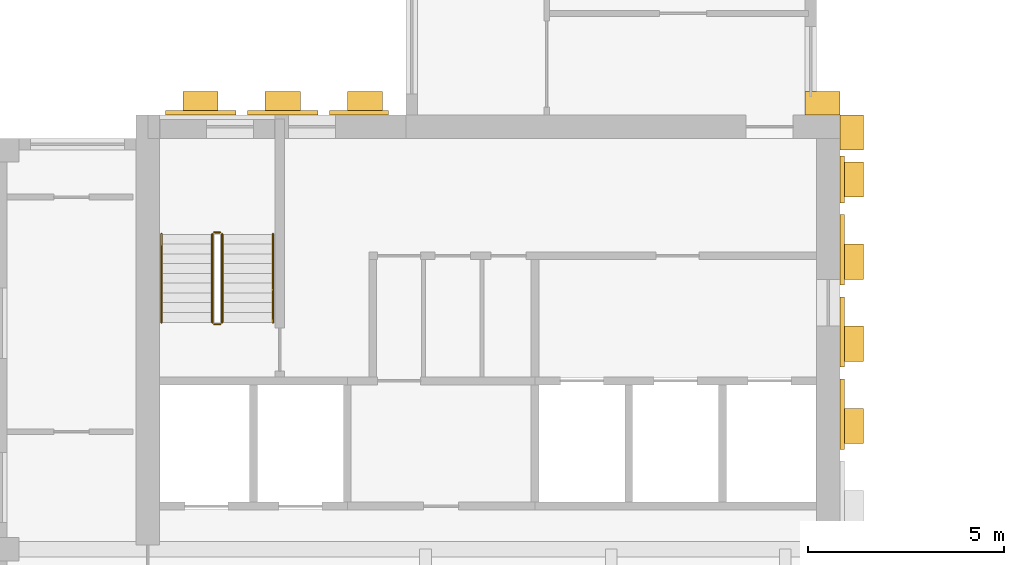
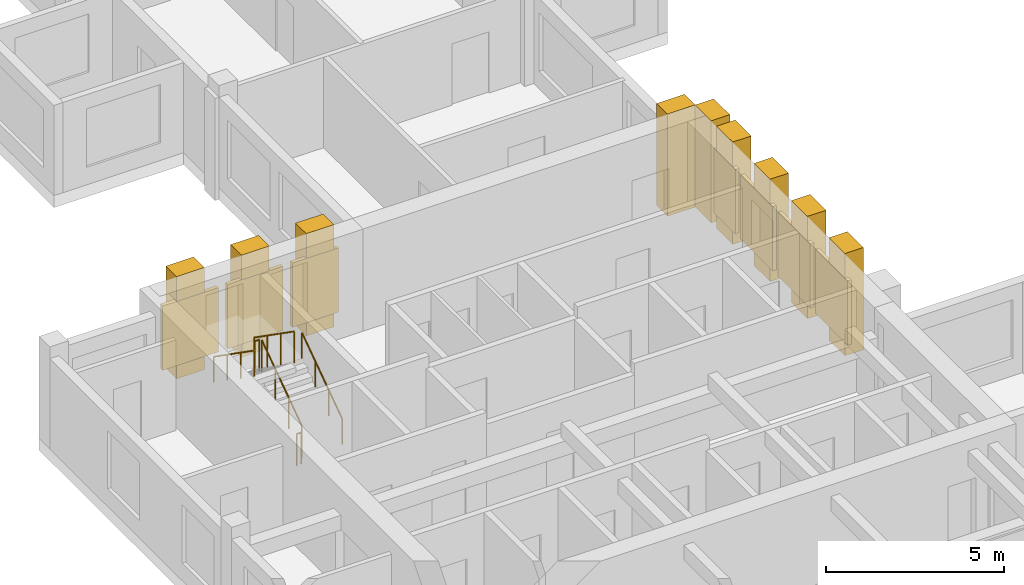
# One storey, part 7 of 9: 16 coverings, 6 railings.
"""IFC4 building model written with IfcOpenShell, lengths in metres."""

from ifc_helpers import new_model, si_unit, direction, frame, origin, origin_2d, place, context, subcontext, project, spatial, rectangle, circle, extrude, source, transform, mapped, material, type_object, element, save


model = new_model("IFC4")

# Units and contexts
model_context = context("Model", 3, precision=1e-05, world=origin(), true_north=direction((0.0, 1.0)))
body_context = subcontext(model_context, "Body", "Model", "MODEL_VIEW")
ifc_project = project(units=[si_unit("LENGTHUNIT", "METRE"), si_unit("AREAUNIT", "SQUARE_METRE"), si_unit("VOLUMEUNIT", "CUBIC_METRE"), si_unit("PLANEANGLEUNIT", "RADIAN"), si_unit("MASSUNIT", "GRAM", prefix="KILO")], contexts=[model_context])

# Site, building, storey
site_placement = place(None, origin())
site = spatial("IfcSite", under=ifc_project, at=site_placement, CompositionType="ELEMENT")
building_placement = place(site_placement, origin())
building = spatial("IfcBuilding", under=site, at=building_placement, Name="Aurelian Terraces", CompositionType="ELEMENT")
storey_placement = place(building_placement, frame((0.0, 0.0, 330.0)))
storey = spatial("IfcBuildingStorey", under=building, at=storey_placement, Name="L77", CompositionType="ELEMENT", Elevation=330.0)

# Coverings
ifc_material_1 = material(Name="Terracotta rainscreen cladding louvre blades", Category="masonry")
covering_type_1 = type_object("IfcCoveringType", Name="LOUVRE-TC", PredefinedType="CLADDING", material=ifc_material_1)
shared_shape_1 = source(origin(), body_context, "Body", "SweptSolid", [
    extrude(rectangle(XDim=0.12, YDim=1.8, at=origin_2d()), origin(), (0.0, 0.0, 1.0), 2.2),
])
for number, where, z_axis, x_axis, name in (
    (1, (21.66, 13.95, 0.45), (0.0, 0.0, 1.0), (1.0, 0.0, 0.0), "LOUVRE L77 core face E.2"),
    (2, (21.66, 16.05, 0.45), (0.0, 0.0, 1.0), (1.0, 0.0, 0.0), "LOUVRE L77 core face E.3"),
    (3, (21.66, 18.15, 0.45), (0.0, 0.0, 1.0), (1.0, 0.0, 0.0), "LOUVRE L77 core face E.4"),
):
    element("IfcCovering", number, at=place(storey_placement, frame(where, z_axis=z_axis, x_axis=x_axis)), inside=storey, type_object=covering_type_1, Name=name, PredefinedType="CLADDING", context=body_context, shape_type="MappedRepresentation", body=[
        mapped(shared_shape_1, transform((0.0, 0.0, 0.0), scale=1.0)),
    ])
shared_shape_2 = source(origin(), body_context, "Body", "SweptSolid", [
    extrude(rectangle(XDim=1.8, YDim=0.12, at=origin_2d()), origin(), (0.0, 0.0, 1.0), 2.2),
])
for number, where, z_axis, x_axis, name in (
    (4, (5.25, 21.66, 0.45), (0.0, 0.0, 1.0), (1.0, 0.0, 0.0), "LOUVRE L77 core face N.1"),
    (5, (7.35, 21.66, 0.45), (0.0, 0.0, 1.0), (1.0, 0.0, 0.0), "LOUVRE L77 core face N.2"),
):
    element("IfcCovering", number, at=place(storey_placement, frame(where, z_axis=z_axis, x_axis=x_axis)), inside=storey, type_object=covering_type_1, Name=name, PredefinedType="CLADDING", context=body_context, shape_type="MappedRepresentation", body=[
        mapped(shared_shape_2, transform((0.0, 0.0, 0.0), scale=1.0)),
    ])
shared_shape_3 = source(origin(), body_context, "Body", "SweptSolid", [
    extrude(rectangle(XDim=0.12, YDim=1.2, at=origin_2d()), origin(), (0.0, 0.0, 1.0), 2.2),
])
covering_1_placement = place(storey_placement, frame((21.66, 19.95, 0.45), z_axis=(0.0, 0.0, 1.0), x_axis=(1.0, 0.0, 0.0)))
element("IfcCovering", 6, at=covering_1_placement, inside=storey, type_object=covering_type_1, Name="LOUVRE L77 core face E.5", PredefinedType="CLADDING", context=body_context, shape_type="MappedRepresentation", body=[
    mapped(shared_shape_3, transform((0.0, 0.0, 0.0), scale=1.0)),
])
shared_shape_4 = source(origin(), body_context, "Body", "SweptSolid", [
    extrude(rectangle(XDim=1.5, YDim=0.12, at=origin_2d()), origin(), (0.0, 0.0, 1.0), 2.2),
])
covering_2_placement = place(storey_placement, frame((9.3, 21.66, 0.45), z_axis=(0.0, 0.0, 1.0), x_axis=(1.0, 0.0, 0.0)))
element("IfcCovering", 7, at=covering_2_placement, inside=storey, type_object=covering_type_1, Name="LOUVRE L77 core face N.3", PredefinedType="CLADDING", context=body_context, shape_type="MappedRepresentation", body=[
    mapped(shared_shape_4, transform((0.0, 0.0, 0.0), scale=1.0)),
])

# Railings
ifc_material_2 = material(Name="Stainless steel", Category="steel")
railing_type_1 = type_object("IfcRailingType", Name="Stair guard 1100", PredefinedType="GUARDRAIL", material=ifc_material_2)
shared_shape_5 = source(origin(), body_context, "Body", "SweptSolid", [
    extrude(circle(Radius=0.024, at=origin_2d()), frame((0.0, 0.0, 1.076), z_axis=(-1.0, 0.0, 0.0), x_axis=(0.0, -1.0, 0.0)), (0.0, 0.0, 1.0), 0.15),
    extrude(circle(Radius=0.021, at=origin_2d()), origin(), (0.0, 0.0, 1.0), 1.052),
    extrude(circle(Radius=0.021, at=origin_2d()), frame((-0.15, 0.0, 0.0)), (0.0, 0.0, 1.0), 1.052),
])
for number, where, name in (
    (8, (5.75, 18.6, 1.75), "L77 S1 stair guard 2"),
    (9, (5.75, 16.25, 0.0), "L77 S1 stair guard 4"),
):
    element("IfcRailing", number, at=place(storey_placement, frame(where)), inside=storey, type_object=railing_type_1, Name=name, PredefinedType="GUARDRAIL", context=body_context, shape_type="MappedRepresentation", body=[
        mapped(shared_shape_5, transform((0.0, 0.0, 0.0), scale=1.0)),
    ])
shared_shape_6 = source(origin(), body_context, "Body", "SweptSolid", [
    extrude(circle(Radius=0.024, at=origin_2d()), frame((0.0, 0.0, 1.076), z_axis=(0.0, 0.819231920519, 0.573462344363), x_axis=(-1.0, 0.0, 0.0)), (0.0, 0.0, 1.0), 2.7465),
    extrude(circle(Radius=0.021, at=origin_2d()), origin(), (0.0, 0.0, 1.0), 1.052),
    extrude(circle(Radius=0.021, at=origin_2d()), frame((0.0, 0.75, 0.525)), (0.0, 0.0, 1.0), 1.052),
    extrude(circle(Radius=0.021, at=origin_2d()), frame((0.0, 1.5, 1.05)), (0.0, 0.0, 1.0), 1.052),
    extrude(circle(Radius=0.021, at=origin_2d()), frame((0.0, 2.25, 1.575)), (0.0, 0.0, 1.0), 1.052),
])
railing_1_placement = place(storey_placement, frame((5.8, 16.3, 0.175)))
element("IfcRailing", 10, at=railing_1_placement, inside=storey, type_object=railing_type_1, Name="L77 S1 stair guard 1", PredefinedType="GUARDRAIL", context=body_context, shape_type="MappedRepresentation", body=[
    mapped(shared_shape_6, transform((0.0, 0.0, 0.0), scale=1.0)),
])
shared_shape_7 = source(origin(), body_context, "Body", "SweptSolid", [
    extrude(circle(Radius=0.024, at=origin_2d()), frame((0.0, 0.0, 1.076), z_axis=(0.0, -0.819231920519, 0.573462344363), x_axis=(1.0, 0.0, 0.0)), (0.0, 0.0, 1.0), 2.7465),
    extrude(circle(Radius=0.021, at=origin_2d()), origin(), (0.0, 0.0, 1.0), 1.052),
    extrude(circle(Radius=0.021, at=origin_2d()), frame((0.0, -0.75, 0.525)), (0.0, 0.0, 1.0), 1.052),
    extrude(circle(Radius=0.021, at=origin_2d()), frame((0.0, -1.5, 1.05)), (0.0, 0.0, 1.0), 1.052),
    extrude(circle(Radius=0.021, at=origin_2d()), frame((0.0, -2.25, 1.575)), (0.0, 0.0, 1.0), 1.052),
])
railing_2_placement = place(storey_placement, frame((5.55, 18.55, 1.925)))
element("IfcRailing", 11, at=railing_2_placement, inside=storey, type_object=railing_type_1, Name="L77 S1 stair guard 3", PredefinedType="GUARDRAIL", context=body_context, shape_type="MappedRepresentation", body=[
    mapped(shared_shape_7, transform((0.0, 0.0, 0.0), scale=1.0)),
])
railing_type_2 = type_object("IfcRailingType", Name="Stair handrail", PredefinedType="HANDRAIL", material=ifc_material_2)
shared_shape_8 = source(origin(), body_context, "Body", "SweptSolid", [
    extrude(circle(Radius=0.024, at=origin_2d()), frame((0.0, 0.0, 0.876), z_axis=(0.0, 0.819231920519, 0.573462344363), x_axis=(-1.0, 0.0, 0.0)), (0.0, 0.0, 1.0), 2.7465),
    extrude(circle(Radius=0.021, at=origin_2d()), origin(), (0.0, 0.0, 1.0), 0.852),
    extrude(circle(Radius=0.021, at=origin_2d()), frame((0.0, 0.75, 0.525)), (0.0, 0.0, 1.0), 0.852),
    extrude(circle(Radius=0.021, at=origin_2d()), frame((0.0, 1.5, 1.05)), (0.0, 0.0, 1.0), 0.852),
    extrude(circle(Radius=0.021, at=origin_2d()), frame((0.0, 2.25, 1.575)), (0.0, 0.0, 1.0), 0.852),
])
railing_3_placement = place(storey_placement, frame((7.1, 16.3, 0.175)))
element("IfcRailing", 12, at=railing_3_placement, inside=storey, type_object=railing_type_2, Name="L77 S1 stair handrail 1", PredefinedType="HANDRAIL", context=body_context, shape_type="MappedRepresentation", body=[
    mapped(shared_shape_8, transform((0.0, 0.0, 0.0), scale=1.0)),
])
shared_shape_9 = source(origin(), body_context, "Body", "SweptSolid", [
    extrude(circle(Radius=0.024, at=origin_2d()), frame((0.0, 0.0, 0.876), z_axis=(0.0, -0.819231920519, 0.573462344363), x_axis=(1.0, 0.0, 0.0)), (0.0, 0.0, 1.0), 2.7465),
    extrude(circle(Radius=0.021, at=origin_2d()), origin(), (0.0, 0.0, 1.0), 0.852),
    extrude(circle(Radius=0.021, at=origin_2d()), frame((0.0, -0.75, 0.525)), (0.0, 0.0, 1.0), 0.852),
    extrude(circle(Radius=0.021, at=origin_2d()), frame((0.0, -1.5, 1.05)), (0.0, 0.0, 1.0), 0.852),
    extrude(circle(Radius=0.021, at=origin_2d()), frame((0.0, -2.25, 1.575)), (0.0, 0.0, 1.0), 0.852),
])
railing_4_placement = place(storey_placement, frame((4.25, 18.55, 1.925)))
element("IfcRailing", 13, at=railing_4_placement, inside=storey, type_object=railing_type_2, Name="L77 S1 stair handrail 2", PredefinedType="HANDRAIL", context=body_context, shape_type="MappedRepresentation", body=[
    mapped(shared_shape_9, transform((0.0, 0.0, 0.0), scale=1.0)),
])

# Coverings
ifc_material_3 = material(Name="Terracotta rainscreen cladding relief", Category="masonry")
covering_type_2 = type_object("IfcCoveringType", Name="Core spine pier 900x600", PredefinedType="CLADDING", material=ifc_material_3)
shared_shape_10 = source(origin(), body_context, "Body", "SweptSolid", [
    extrude(rectangle(XDim=0.6, YDim=0.9, at=origin_2d()), origin(), (0.0, 0.0, 1.0), 3.5),
])
for number, where, z_axis, x_axis, name in (
    (14, (21.9, 13.65, 0.0), (0.0, 0.0, 1.0), (1.0, 0.0, 0.0), "Spine pier L77 E2"),
    (15, (21.9, 15.75, 0.0), (0.0, 0.0, 1.0), (1.0, 0.0, 0.0), "Spine pier L77 E3"),
    (16, (21.9, 17.85, 0.0), (0.0, 0.0, 1.0), (1.0, 0.0, 0.0), "Spine pier L77 E4"),
    (17, (21.9, 19.95, 0.0), (0.0, 0.0, 1.0), (1.0, 0.0, 0.0), "Spine pier L77 E5"),
    (18, (21.9, 21.15, 0.0), (0.0, 0.0, 1.0), (1.0, 0.0, 0.0), "Spine pier L77 corner east"),
):
    element("IfcCovering", number, at=place(storey_placement, frame(where, z_axis=z_axis, x_axis=x_axis)), inside=storey, type_object=covering_type_2, Name=name, PredefinedType="CLADDING", context=body_context, shape_type="MappedRepresentation", body=[
        mapped(shared_shape_10, transform((0.0, 0.0, 0.0), scale=1.0)),
    ])
shared_shape_11 = source(origin(), body_context, "Body", "SweptSolid", [
    extrude(rectangle(XDim=0.9, YDim=0.6, at=origin_2d()), origin(), (0.0, 0.0, 1.0), 3.5),
])
for number, where, z_axis, x_axis, name in (
    (19, (5.25, 21.9, 0.0), (0.0, 0.0, 1.0), (1.0, 0.0, 0.0), "Spine pier L77 N6"),
    (20, (7.35, 21.9, 0.0), (0.0, 0.0, 1.0), (1.0, 0.0, 0.0), "Spine pier L77 N7"),
    (21, (9.45, 21.9, 0.0), (0.0, 0.0, 1.0), (1.0, 0.0, 0.0), "Spine pier L77 N8"),
    (22, (21.15, 21.9, 0.0), (0.0, 0.0, 1.0), (1.0, 0.0, 0.0), "Spine pier L77 corner north"),
):
    element("IfcCovering", number, at=place(storey_placement, frame(where, z_axis=z_axis, x_axis=x_axis)), inside=storey, type_object=covering_type_2, Name=name, PredefinedType="CLADDING", context=body_context, shape_type="MappedRepresentation", body=[
        mapped(shared_shape_11, transform((0.0, 0.0, 0.0), scale=1.0)),
    ])

save(model, "model.ifc")
